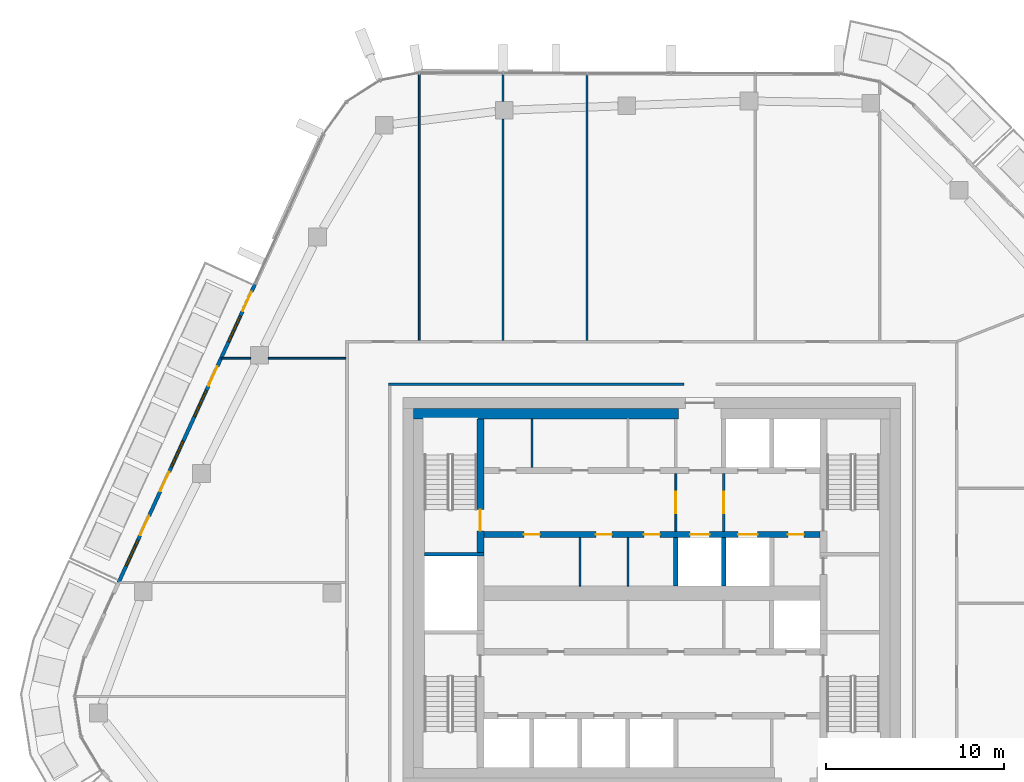
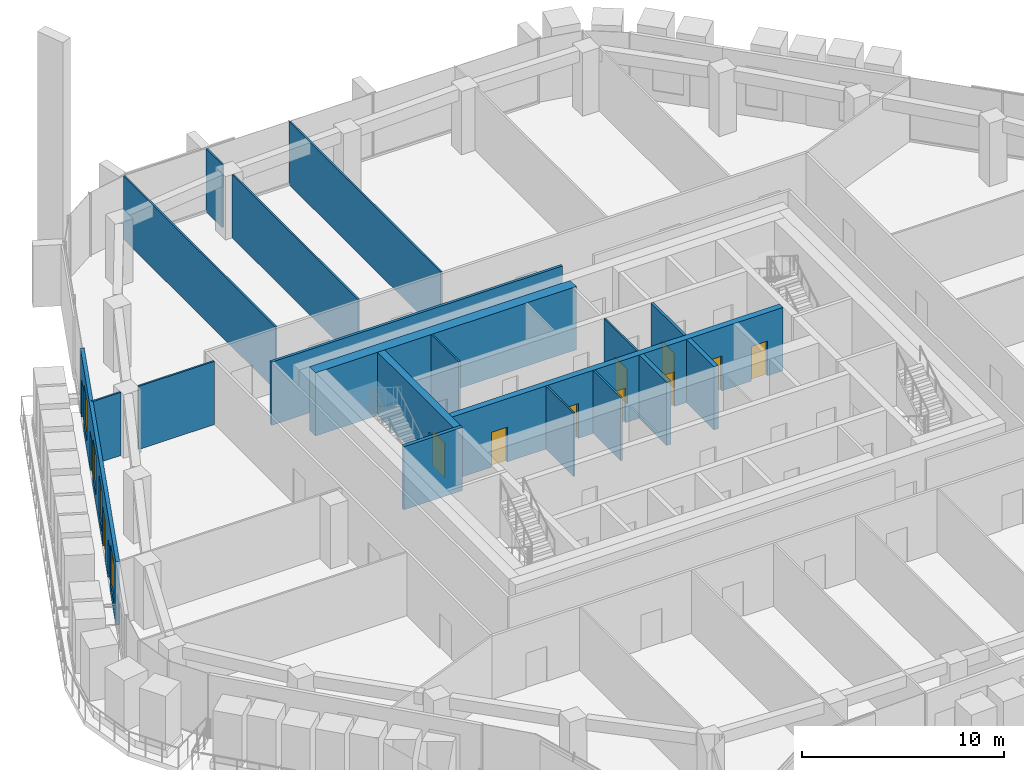
# One storey, part 15 of 24: 19 walls, 13 doors, 4 windows, 17 openings.
"""IFC4 building model written with IfcOpenShell, lengths in metres."""

from ifc_helpers import new_model, si_unit, direction, frame, frame_2d, origin, place, context, subcontext, project, spatial, rectangle, extrude, material, layer, layer_set, type_object, element, fill, save


model = new_model("IFC4")

# Units and contexts
model_context = context("Model", 3, precision=1e-05, world=origin(), true_north=direction((0.0, 1.0)))
body_context = subcontext(model_context, "Body", "Model", "MODEL_VIEW")
ifc_project = project(units=[si_unit("LENGTHUNIT", "METRE"), si_unit("AREAUNIT", "SQUARE_METRE"), si_unit("VOLUMEUNIT", "CUBIC_METRE"), si_unit("PLANEANGLEUNIT", "RADIAN"), si_unit("MASSUNIT", "GRAM", prefix="KILO")], contexts=[model_context])

# Site, building, storey
site_placement = place(None, origin())
site = spatial("IfcSite", under=ifc_project, at=site_placement, CompositionType="ELEMENT")
building_placement = place(site_placement, origin())
building = spatial("IfcBuilding", under=site, at=building_placement, Name="Dongbaek Canopy Tower", CompositionType="ELEMENT")
storey_placement = place(building_placement, frame((0.0, 0.0, 306.800048828125)))
storey = spatial("IfcBuildingStorey", under=building, at=storey_placement, Name="L65", CompositionType="ELEMENT", Elevation=306.800048828125)

# Wall, openings, doors
ifc_material_1 = material(Name="Concrete C60/75", Category="concrete")
ifc_layer_1 = layer(ifc_material_1, 0.35009765625)
ifc_layer_set_1 = layer_set([ifc_layer_1], Name="Core lobby wall 350 Concrete C60/75")
wall_type_1 = type_object("IfcWallType", Name="Core lobby wall 350 Concrete C60/75", PredefinedType="SHEAR", material=ifc_layer_set_1)
wall_1_placement = place(storey_placement, frame((9.449951171875, 3.300048828125, 0.0), z_axis=(0.0, 0.0, 1.0), x_axis=(-1.0, 0.0, 0.0)))
wall_1 = element("IfcWall", 1, at=wall_1_placement, inside=storey, type_object=wall_type_1, Name="Core wall", PredefinedType="SHEAR", context=body_context, shape_type="SweptSolid", body=[
    extrude(rectangle(XDim=18.89990234375, YDim=0.35009765625, at=frame_2d((9.449951171875, 0.0))), origin(), (0.0, 0.0, 1.0), 3.820068359375),
])
opening_1_placement = place(wall_1_placement, frame((6.199951171875, 0.0, 0.0)))
opening_1 = element("IfcOpeningElement", 2, at=opening_1_placement, cuts=wall_1, Name="Opening L65-D024", PredefinedType="OPENING", context=body_context, shape_type="SweptSolid", body=[
    extrude(rectangle(XDim=1.10009765625, YDim=2.10009765625, at=frame_2d((0.550048828125, 1.050048828125))), frame((0.0, 0.18505859375, 0.0), z_axis=(0.0, -1.0, 0.0), x_axis=(1.0, 0.0, 0.0)), (0.0, 0.0, 1.0), 0.3701171875),
])
opening_2_placement = place(wall_1_placement, frame((3.5, 0.0, 0.0)))
opening_2 = element("IfcOpeningElement", 3, at=opening_2_placement, cuts=wall_1, Name="Opening L65-D025", PredefinedType="OPENING", context=body_context, shape_type="SweptSolid", body=[
    extrude(rectangle(XDim=1.10009765625, YDim=2.10009765625, at=frame_2d((0.550048828125, 1.050048828125))), frame((0.0, 0.18505859375, 0.0), z_axis=(0.0, -1.0, 0.0), x_axis=(1.0, 0.0, 0.0)), (0.0, 0.0, 1.0), 0.3701171875),
])
opening_3_placement = place(wall_1_placement, frame((0.89990234375, 0.0, 0.0)))
opening_3 = element("IfcOpeningElement", 4, at=opening_3_placement, cuts=wall_1, Name="Opening L65-D026", PredefinedType="OPENING", context=body_context, shape_type="SweptSolid", body=[
    extrude(rectangle(XDim=0.89990234375, YDim=2.10009765625, at=frame_2d((0.449951171875, 1.050048828125))), frame((0.0, 0.18505859375, 0.0), z_axis=(0.0, -1.0, 0.0), x_axis=(1.0, 0.0, 0.0)), (0.0, 0.0, 1.0), 0.3701171875),
])
opening_4_placement = place(wall_1_placement, frame((15.75, 0.0, 0.0)))
opening_4 = element("IfcOpeningElement", 5, at=opening_4_placement, cuts=wall_1, Name="Opening L65-D037", PredefinedType="OPENING", context=body_context, shape_type="SweptSolid", body=[
    extrude(rectangle(XDim=0.89990234375, YDim=2.10009765625, at=frame_2d((0.449951171875, 1.050048828125))), frame((0.0, 0.18505859375, 0.0), z_axis=(0.0, -1.0, 0.0), x_axis=(1.0, 0.0, 0.0)), (0.0, 0.0, 1.0), 0.3701171875),
])
opening_5_placement = place(wall_1_placement, frame((11.699951171875, 0.0, 0.0)))
opening_5 = element("IfcOpeningElement", 6, at=opening_5_placement, cuts=wall_1, Name="Opening L65-D038", PredefinedType="OPENING", context=body_context, shape_type="SweptSolid", body=[
    extrude(rectangle(XDim=0.89990234375, YDim=2.10009765625, at=frame_2d((0.449951171875, 1.050048828125))), frame((0.0, 0.18505859375, 0.0), z_axis=(0.0, -1.0, 0.0), x_axis=(1.0, 0.0, 0.0)), (0.0, 0.0, 1.0), 0.3701171875),
])
opening_6_placement = place(wall_1_placement, frame((9.0, 0.0, 0.0)))
opening_6 = element("IfcOpeningElement", 7, at=opening_6_placement, cuts=wall_1, Name="Opening L65-D039", PredefinedType="OPENING", context=body_context, shape_type="SweptSolid", body=[
    extrude(rectangle(XDim=0.89990234375, YDim=2.10009765625, at=frame_2d((0.449951171875, 1.050048828125))), frame((0.0, 0.18505859375, 0.0), z_axis=(0.0, -1.0, 0.0), x_axis=(1.0, 0.0, 0.0)), (0.0, 0.0, 1.0), 0.3701171875),
])
ifc_material_2 = material(Name="Steel", Category="steel")
door_type_1 = type_object("IfcDoorType", Name="Core room door 900 x 2100", OperationType="SINGLE_SWING_LEFT", PredefinedType="DOOR", material=ifc_material_2)
door_1_placement = place(opening_3_placement, origin())
door_1 = element("IfcDoor", 8, at=door_1_placement, inside=storey, type_object=door_type_1, Name="Door L65-D026", OperationType="SINGLE_SWING_LEFT", OverallHeight=2.10009765625, OverallWidth=0.89990234375, PredefinedType="DOOR", context=body_context, shape_type="SweptSolid", body=[
    extrude(rectangle(XDim=0.89990234375, YDim=2.10009765625, at=frame_2d((0.449951171875, 1.050048828125))), frame((0.0, 0.02490234375, 0.0), z_axis=(0.0, -1.0, 0.0), x_axis=(1.0, 0.0, 0.0)), (0.0, 0.0, 1.0), 0.050048828125),
])
fill(opening_3, door_1)
door_2_placement = place(opening_4_placement, origin())
door_2 = element("IfcDoor", 9, at=door_2_placement, inside=storey, type_object=door_type_1, Name="Door L65-D037", OperationType="SINGLE_SWING_LEFT", OverallHeight=2.10009765625, OverallWidth=0.89990234375, PredefinedType="DOOR", context=body_context, shape_type="SweptSolid", body=[
    extrude(rectangle(XDim=0.89990234375, YDim=2.10009765625, at=frame_2d((0.449951171875, 1.050048828125))), frame((0.0, 0.02490234375, 0.0), z_axis=(0.0, -1.0, 0.0), x_axis=(1.0, 0.0, 0.0)), (0.0, 0.0, 1.0), 0.050048828125),
])
fill(opening_4, door_2)
door_3_placement = place(opening_5_placement, origin())
door_3 = element("IfcDoor", 10, at=door_3_placement, inside=storey, type_object=door_type_1, Name="Door L65-D038", OperationType="SINGLE_SWING_RIGHT", OverallHeight=2.10009765625, OverallWidth=0.89990234375, PredefinedType="DOOR", context=body_context, shape_type="SweptSolid", body=[
    extrude(rectangle(XDim=0.89990234375, YDim=2.10009765625, at=frame_2d((0.449951171875, 1.050048828125))), frame((0.0, 0.02490234375, 0.0), z_axis=(0.0, -1.0, 0.0), x_axis=(1.0, 0.0, 0.0)), (0.0, 0.0, 1.0), 0.050048828125),
])
fill(opening_5, door_3)
door_4_placement = place(opening_6_placement, origin())
door_4 = element("IfcDoor", 11, at=door_4_placement, inside=storey, type_object=door_type_1, Name="Door L65-D039", OperationType="SINGLE_SWING_LEFT", OverallHeight=2.10009765625, OverallWidth=0.89990234375, PredefinedType="DOOR", context=body_context, shape_type="SweptSolid", body=[
    extrude(rectangle(XDim=0.89990234375, YDim=2.10009765625, at=frame_2d((0.449951171875, 1.050048828125))), frame((0.0, 0.02490234375, 0.0), z_axis=(0.0, -1.0, 0.0), x_axis=(1.0, 0.0, 0.0)), (0.0, 0.0, 1.0), 0.050048828125),
])
fill(opening_6, door_4)
ifc_material_3 = material(Name="Stainless steel", Category="steel")
door_type_2 = type_object("IfcDoorType", Name="Lift landing door 1100 x 2100", OperationType="DOUBLE_DOOR_SLIDING", PredefinedType="DOOR", material=ifc_material_3)
door_5_placement = place(opening_1_placement, origin())
door_5 = element("IfcDoor", 12, at=door_5_placement, inside=storey, type_object=door_type_2, Name="Landing door SV1", OperationType="DOUBLE_DOOR_SLIDING", OverallHeight=2.10009765625, OverallWidth=1.10009765625, PredefinedType="DOOR", context=body_context, shape_type="SweptSolid", body=[
    extrude(rectangle(XDim=1.10009765625, YDim=2.10009765625, at=frame_2d((0.550048828125, 1.050048828125))), frame((0.0, 0.02490234375, 0.0), z_axis=(0.0, -1.0, 0.0), x_axis=(1.0, 0.0, 0.0)), (0.0, 0.0, 1.0), 0.050048828125),
])
fill(opening_1, door_5)
door_6_placement = place(opening_2_placement, origin())
door_6 = element("IfcDoor", 13, at=door_6_placement, inside=storey, type_object=door_type_2, Name="Landing door FF3", OperationType="DOUBLE_DOOR_SLIDING", OverallHeight=2.10009765625, OverallWidth=1.10009765625, PredefinedType="DOOR", context=body_context, shape_type="SweptSolid", body=[
    extrude(rectangle(XDim=1.10009765625, YDim=2.10009765625, at=frame_2d((0.550048828125, 1.050048828125))), frame((0.0, 0.02490234375, 0.0), z_axis=(0.0, -1.0, 0.0), x_axis=(1.0, 0.0, 0.0)), (0.0, 0.0, 1.0), 0.050048828125),
])
fill(opening_2, door_6)

# Walls
ifc_material_4 = material(Name="Concrete C60/75", Category="concrete")
ifc_layer_2 = layer(ifc_material_4, 0.60009765625)
ifc_layer_set_2 = layer_set([ifc_layer_2], Name="Core wall lining 600 Concrete C60/75")
wall_type_2 = type_object("IfcWallType", Name="Core wall lining 600 Concrete C60/75", PredefinedType="SHEAR", material=ifc_layer_set_2)
wall_2_placement = place(storey_placement, frame((-13.39990234375, 10.10009765625, 0.0), z_axis=(0.0, 0.0, 1.0), x_axis=(1.0, 0.0, 0.0)))
element("IfcWall", 14, at=wall_2_placement, inside=storey, type_object=wall_type_2, Name="Core wall lining", PredefinedType="SHEAR", context=body_context, shape_type="SweptSolid", body=[
    extrude(rectangle(XDim=14.89990234375, YDim=0.60009765625, at=frame_2d((7.449951171875, 0.0))), origin(), (0.0, 0.0, 1.0), 3.820068359375),
])
ifc_material_5 = material(Name="Gypsum board partition, steel stud, 2 x 15 mm fire board", Category="steel")
ifc_layer_3 = layer(ifc_material_5, 0.14990234375)
ifc_layer_set_3 = layer_set([ifc_layer_3], Name="Fire-rated partition 150 gypsum board")
wall_type_3 = type_object("IfcWallType", Name="Fire-rated partition 150 gypsum board", PredefinedType="PARTITIONING", material=ifc_layer_set_3)
wall_3_placement = place(storey_placement, frame((-14.824951171875, 11.75, 0.0), z_axis=(0.0, 0.0, 1.0), x_axis=(1.0, 0.0, 0.0)))
element("IfcWall", 15, at=wall_3_placement, inside=storey, type_object=wall_type_3, Name="Corridor partition", PredefinedType="PARTITIONING", context=body_context, shape_type="SweptSolid", body=[
    extrude(rectangle(XDim=16.625, YDim=0.14990234375, at=frame_2d((8.3125, 0.0))), origin(), (0.0, 0.0, 1.0), 3.820068359375),
])

# Wall, opening, door
wall_4_placement = place(storey_placement, frame((4.050048828125, 6.72509765625, 0.0), z_axis=(0.0, 0.0, 1.0), x_axis=(0.0, -1.0, 0.0)))
wall_4 = element("IfcWall", 16, at=wall_4_placement, inside=storey, type_object=wall_type_3, Name="Fire lobby partition", PredefinedType="PARTITIONING", context=body_context, shape_type="SweptSolid", body=[
    extrude(rectangle(XDim=3.25, YDim=0.14990234375, at=frame_2d((1.625, 0.0))), origin(), (0.0, 0.0, 1.0), 3.820068359375),
])
opening_7_placement = place(wall_4_placement, frame((1.02490234375, 0.0, 0.0)))
opening_7 = element("IfcOpeningElement", 17, at=opening_7_placement, cuts=wall_4, Name="Opening L65-D049", PredefinedType="OPENING", context=body_context, shape_type="SweptSolid", body=[
    extrude(rectangle(XDim=1.199951171875, YDim=2.10009765625, at=frame_2d((0.60009765625, 1.050048828125))), frame((0.0, 0.0849609375, 0.0), z_axis=(0.0, -1.0, 0.0), x_axis=(1.0, 0.0, 0.0)), (0.0, 0.0, 1.0), 0.169921875),
])
ifc_material_6 = material(Name="Steel", Category="steel")
door_type_3 = type_object("IfcDoorType", Name="Fire lobby door 1200 x 2100", OperationType="SINGLE_SWING_LEFT", PredefinedType="DOOR", material=ifc_material_6)
door_7_placement = place(opening_7_placement, origin())
door_7 = element("IfcDoor", 18, at=door_7_placement, inside=storey, type_object=door_type_3, Name="Door L65-D049", OperationType="SINGLE_SWING_RIGHT", OverallHeight=2.10009765625, OverallWidth=1.199951171875, PredefinedType="DOOR", context=body_context, shape_type="SweptSolid", body=[
    extrude(rectangle(XDim=1.199951171875, YDim=2.10009765625, at=frame_2d((0.60009765625, 1.050048828125))), frame((0.0, 0.02490234375, 0.0), z_axis=(0.0, -1.0, 0.0), x_axis=(1.0, 0.0, 0.0)), (0.0, 0.0, 1.0), 0.050048828125),
])
fill(opening_7, door_7)

# Walls
ifc_material_7 = material(Name="Concrete C40/50", Category="concrete")
ifc_layer_4 = layer(ifc_material_7, 0.25)
ifc_layer_set_4 = layer_set([ifc_layer_4], Name="Lift shaft wall 250 Concrete C40/50")
wall_type_4 = type_object("IfcWallType", Name="Lift shaft wall 250 Concrete C40/50", PredefinedType="SOLIDWALL", material=ifc_layer_set_4)
for number, where, z_axis, x_axis, name in (
    (19, (4.050048828125, 0.39990234375, 0.0), (0.0, 0.0, 1.0), (0.0, 1.0, 0.0), "Lift shaft wall"),
    (20, (1.35009765625, 0.39990234375, 0.0), (0.0, 0.0, 1.0), (0.0, 1.0, 0.0), "Lift shaft wall"),
):
    element("IfcWall", number, at=place(storey_placement, frame(where, z_axis=z_axis, x_axis=x_axis)), inside=storey, type_object=wall_type_4, Name=name, PredefinedType="SOLIDWALL", context=body_context, shape_type="SweptSolid", body=[
        extrude(rectangle(XDim=2.72509765625, YDim=0.25, at=frame_2d((1.362548828125, 0.0))), origin(), (0.0, 0.0, 1.0), 3.820068359375),
    ])
ifc_material_8 = material(Name="Gypsum board partition, steel stud, 2 x 12.5 mm board", Category="steel")
ifc_layer_5 = layer(ifc_material_8, 0.10009765625)
ifc_layer_set_5 = layer_set([ifc_layer_5], Name="Partition 100 gypsum board")
wall_type_5 = type_object("IfcWallType", Name="Partition 100 gypsum board", PredefinedType="PARTITIONING", material=ifc_layer_set_5)
wall_5_placement = place(storey_placement, frame((-24.2177734375, 13.2109375, 0.0), z_axis=(0.0, 0.0, 1.0), x_axis=(1.0, 0.0, 0.0)))
element("IfcWall", 21, at=wall_5_placement, inside=storey, type_object=wall_type_5, Name="Partition", PredefinedType="PARTITIONING", context=body_context, shape_type="SweptSolid", body=[
    extrude(rectangle(XDim=1.641845703125, YDim=0.10009765625, at=frame_2d((0.82080078125, 0.0))), origin(), (0.0, 0.0, 1.0), 3.820068359375),
])
wall_6_placement = place(storey_placement, frame((-21.575927734375, 13.2109375, 0.0), z_axis=(0.0, 0.0, 1.0), x_axis=(1.0, 0.0, 0.0)))
element("IfcWall", 22, at=wall_6_placement, inside=storey, type_object=wall_type_5, Name="Partition", PredefinedType="PARTITIONING", context=body_context, shape_type="SweptSolid", body=[
    extrude(rectangle(XDim=4.350830078125, YDim=0.10009765625, at=frame_2d((2.17529296875, 0.0))), origin(), (0.0, 0.0, 1.0), 3.820068359375),
])
wall_7_placement = place(storey_placement, frame((-3.64501953125, 14.22509765625, 0.0), z_axis=(0.0, 0.0, 1.0), x_axis=(0.0, 1.0, 0.0)))
element("IfcWall", 23, at=wall_7_placement, inside=storey, type_object=wall_type_5, Name="Partition", PredefinedType="PARTITIONING", context=body_context, shape_type="SweptSolid", body=[
    extrude(rectangle(XDim=15.00244140625, YDim=0.10009765625, at=frame_2d((7.501220703125, 0.0))), origin(), (0.0, 0.0, 1.0), 3.820068359375),
])
wall_8_placement = place(storey_placement, frame((-8.37109375, 14.22509765625, 0.0), z_axis=(0.0, 0.0, 1.0), x_axis=(0.0, 1.0, 0.0)))
element("IfcWall", 24, at=wall_8_placement, inside=storey, type_object=wall_type_5, Name="Partition", PredefinedType="PARTITIONING", context=body_context, shape_type="SweptSolid", body=[
    extrude(rectangle(XDim=12.43896484375, YDim=0.10009765625, at=frame_2d((6.219482421875, 0.0))), origin(), (0.0, 0.0, 1.0), 3.820068359375),
])
wall_9_placement = place(storey_placement, frame((-8.37109375, 27.6640625, 0.0), z_axis=(0.0, 0.0, 1.0), x_axis=(0.0, 1.0, 0.0)))
element("IfcWall", 25, at=wall_9_placement, inside=storey, type_object=wall_type_5, Name="Partition", PredefinedType="PARTITIONING", context=body_context, shape_type="SweptSolid", body=[
    extrude(rectangle(XDim=1.57373046875, YDim=0.10009765625, at=frame_2d((0.786865234375, 0.0))), origin(), (0.0, 0.0, 1.0), 3.820068359375),
])
wall_10_placement = place(storey_placement, frame((-13.0869140625, 14.22509765625, 0.0), z_axis=(0.0, 0.0, 1.0), x_axis=(0.0, 1.0, 0.0)))
element("IfcWall", 26, at=wall_10_placement, inside=storey, type_object=wall_type_5, Name="Partition", PredefinedType="PARTITIONING", context=body_context, shape_type="SweptSolid", body=[
    extrude(rectangle(XDim=15.022705078125, YDim=0.10009765625, at=frame_2d((7.51123046875, 0.0))), origin(), (0.0, 0.0, 1.0), 3.820068359375),
])

# Wall, opening, door
wall_11_placement = place(storey_placement, frame((1.35009765625, 6.72509765625, 0.0), z_axis=(0.0, 0.0, 1.0), x_axis=(0.0, -1.0, 0.0)))
wall_11 = element("IfcWall", 27, at=wall_11_placement, inside=storey, type_object=wall_type_5, Name="Core partition", PredefinedType="PARTITIONING", context=body_context, shape_type="SweptSolid", body=[
    extrude(rectangle(XDim=3.25, YDim=0.10009765625, at=frame_2d((1.625, 0.0))), origin(), (0.0, 0.0, 1.0), 3.820068359375),
])
opening_8_placement = place(wall_11_placement, frame((1.02490234375, 0.0, 0.0)))
opening_8 = element("IfcOpeningElement", 28, at=opening_8_placement, cuts=wall_11, Name="Opening L65-D048", PredefinedType="OPENING", context=body_context, shape_type="SweptSolid", body=[
    extrude(rectangle(XDim=1.199951171875, YDim=2.10009765625, at=frame_2d((0.60009765625, 1.050048828125))), frame((0.0, 0.06005859375, 0.0), z_axis=(0.0, -1.0, 0.0), x_axis=(1.0, 0.0, 0.0)), (0.0, 0.0, 1.0), 0.1201171875),
])
door_8_placement = place(opening_8_placement, origin())
door_8 = element("IfcDoor", 29, at=door_8_placement, inside=storey, type_object=door_type_3, Name="Door L65-D048", OperationType="SINGLE_SWING_LEFT", OverallHeight=2.10009765625, OverallWidth=1.199951171875, PredefinedType="DOOR", context=body_context, shape_type="SweptSolid", body=[
    extrude(rectangle(XDim=1.199951171875, YDim=2.10009765625, at=frame_2d((0.60009765625, 1.050048828125))), frame((0.0, 0.02490234375, 0.0), z_axis=(0.0, -1.0, 0.0), x_axis=(1.0, 0.0, 0.0)), (0.0, 0.0, 1.0), 0.050048828125),
])
fill(opening_8, door_8)

# Walls
for number, where, z_axis, x_axis, name in (
    (30, (-1.35009765625, 0.39990234375, 0.0), (0.0, 0.0, 1.0), (0.0, 1.0, 0.0), "Core partition"),
    (31, (-4.050048828125, 0.39990234375, 0.0), (0.0, 0.0, 1.0), (0.0, 1.0, 0.0), "Core partition"),
    (32, (-6.75, 7.074951171875, 0.0), (0.0, 0.0, 1.0), (0.0, 1.0, 0.0), "Core partition"),
):
    element("IfcWall", number, at=place(storey_placement, frame(where, z_axis=z_axis, x_axis=x_axis)), inside=storey, type_object=wall_type_5, Name=name, PredefinedType="PARTITIONING", context=body_context, shape_type="SweptSolid", body=[
        extrude(rectangle(XDim=2.72509765625, YDim=0.10009765625, at=frame_2d((1.362548828125, 0.0))), origin(), (0.0, 0.0, 1.0), 3.820068359375),
    ])
ifc_material_9 = material(Name="Concrete C60/75", Category="concrete")
ifc_layer_6 = layer(ifc_material_9, 0.199951171875)
ifc_layer_set_6 = layer_set([ifc_layer_6], Name="Riser wall 200 Concrete C60/75")
wall_type_6 = type_object("IfcWallType", Name="Riser wall 200 Concrete C60/75", PredefinedType="SHEAR", material=ifc_layer_set_6)
wall_12_placement = place(storey_placement, frame((-9.449951171875, 2.199951171875, 0.0), z_axis=(0.0, 0.0, 1.0), x_axis=(-1.0, 0.0, 0.0)))
element("IfcWall", 33, at=wall_12_placement, inside=storey, type_object=wall_type_6, Name="Riser wall", PredefinedType="SHEAR", context=body_context, shape_type="SweptSolid", body=[
    extrude(rectangle(XDim=3.35009765625, YDim=0.199951171875, at=frame_2d((1.675048828125, 0.0))), origin(), (0.0, 0.0, 1.0), 3.820068359375),
])

# Wall, opening, door
ifc_material_10 = material(Name="Concrete C60/75", Category="concrete")
ifc_layer_7 = layer(ifc_material_10, 0.39990234375)
ifc_layer_set_7 = layer_set([ifc_layer_7], Name="Stair wall 400 Concrete C60/75")
wall_type_7 = type_object("IfcWallType", Name="Stair wall 400 Concrete C60/75", PredefinedType="SHEAR", material=ifc_layer_set_7)
wall_13_placement = place(storey_placement, frame((-9.64990234375, 2.300048828125, 0.0), z_axis=(0.0, 0.0, 1.0), x_axis=(0.0, 1.0, 0.0)))
wall_13 = element("IfcWall", 34, at=wall_13_placement, inside=storey, type_object=wall_type_7, Name="Stair wall", PredefinedType="SHEAR", context=body_context, shape_type="SweptSolid", body=[
    extrude(rectangle(XDim=7.5, YDim=0.39990234375, at=frame_2d((3.75, 0.0))), origin(), (0.0, 0.0, 1.0), 3.820068359375),
])
opening_9_placement = place(wall_13_placement, frame((1.199951171875, 0.0, 0.0)))
opening_9 = element("IfcOpeningElement", 35, at=opening_9_placement, cuts=wall_13, Name="Opening L65-D045", PredefinedType="OPENING", context=body_context, shape_type="SweptSolid", body=[
    extrude(rectangle(XDim=1.199951171875, YDim=2.10009765625, at=frame_2d((0.60009765625, 1.050048828125))), frame((0.0, 0.2099609375, 0.0), z_axis=(0.0, -1.0, 0.0), x_axis=(1.0, 0.0, 0.0)), (0.0, 0.0, 1.0), 0.419921875),
])
ifc_material_11 = material(Name="Steel", Category="steel")
door_type_4 = type_object("IfcDoorType", Name="Stair door 1200 x 2100", OperationType="SINGLE_SWING_LEFT", PredefinedType="DOOR", material=ifc_material_11)
door_9_placement = place(opening_9_placement, origin())
door_9 = element("IfcDoor", 36, at=door_9_placement, inside=storey, type_object=door_type_4, Name="Stair C door", OperationType="SINGLE_SWING_RIGHT", OverallHeight=2.10009765625, OverallWidth=1.199951171875, PredefinedType="DOOR", context=body_context, shape_type="SweptSolid", body=[
    extrude(rectangle(XDim=1.199951171875, YDim=2.10009765625, at=frame_2d((0.60009765625, 1.050048828125))), frame((0.0, 0.02490234375, 0.0), z_axis=(0.0, -1.0, 0.0), x_axis=(1.0, 0.0, 0.0)), (0.0, 0.0, 1.0), 0.050048828125),
])
fill(opening_9, door_9)

# Wall, openings, doors, windows
ifc_material_12 = material(Name="Aluminium window wall", Category="aluminium")
ifc_layer_8 = layer(ifc_material_12, 0.199951171875)
ifc_layer_set_8 = layer_set([ifc_layer_8], Name="Window wall 200")
wall_type_8 = type_object("IfcWallType", Name="Window wall 200", PredefinedType="SOLIDWALL", material=ifc_layer_set_8)
wall_14_placement = place(storey_placement, frame((-22.318359375, 17.4140625, 0.0), z_axis=(0.0, 0.0, 1.0), x_axis=(-0.415710447513, -0.909497016943, 0.0)))
wall_14 = element("IfcWall", 37, at=wall_14_placement, inside=storey, type_object=wall_type_8, Name="Window wall L65 2", PredefinedType="SOLIDWALL", context=body_context, shape_type="SweptSolid", body=[
    extrude(rectangle(XDim=18.486572265625, YDim=0.199951171875, at=frame_2d((9.2431640625, 0.0))), origin(), (0.0, 0.0, 1.0), 3.820068359375),
])
opening_10_placement = place(wall_14_placement, frame((2.0, 0.0, 0.60009765625)))
opening_10 = element("IfcOpeningElement", 38, at=opening_10_placement, cuts=wall_14, Name="Opening W1", PredefinedType="OPENING", context=body_context, shape_type="SweptSolid", body=[
    extrude(rectangle(XDim=1.60009765625, YDim=2.39990234375, at=frame_2d((0.800048828125, 1.199951171875))), frame((0.0, 0.10986328125, 0.0), z_axis=(0.0, -1.0, 0.0), x_axis=(1.0, 0.0, 0.0)), (0.0, 0.0, 1.0), 0.219970703125),
])
opening_11_placement = place(wall_14_placement, frame((0.5, 0.0, 0.0)))
opening_11 = element("IfcOpeningElement", 39, at=opening_11_placement, cuts=wall_14, Name="Opening L65-B04", PredefinedType="OPENING", context=body_context, shape_type="SweptSolid", body=[
    extrude(rectangle(XDim=1.199951171875, YDim=2.39990234375, at=frame_2d((0.60009765625, 1.199951171875))), frame((0.0, 0.10986328125, 0.0), z_axis=(0.0, -1.0, 0.0), x_axis=(1.0, 0.0, 0.0)), (0.0, 0.0, 1.0), 0.219970703125),
])
opening_12_placement = place(wall_14_placement, frame((6.62158203125, 0.0, 0.60009765625)))
opening_12 = element("IfcOpeningElement", 40, at=opening_12_placement, cuts=wall_14, Name="Opening W1", PredefinedType="OPENING", context=body_context, shape_type="SweptSolid", body=[
    extrude(rectangle(XDim=1.60009765625, YDim=2.39990234375, at=frame_2d((0.800048828125, 1.199951171875))), frame((0.0, 0.10986328125, 0.0), z_axis=(0.0, -1.0, 0.0), x_axis=(1.0, 0.0, 0.0)), (0.0, 0.0, 1.0), 0.219970703125),
])
opening_13_placement = place(wall_14_placement, frame((5.12158203125, 0.0, 0.0)))
opening_13 = element("IfcOpeningElement", 41, at=opening_13_placement, cuts=wall_14, Name="Opening L65-B05", PredefinedType="OPENING", context=body_context, shape_type="SweptSolid", body=[
    extrude(rectangle(XDim=1.199951171875, YDim=2.39990234375, at=frame_2d((0.60009765625, 1.199951171875))), frame((0.0, 0.10986328125, 0.0), z_axis=(0.0, -1.0, 0.0), x_axis=(1.0, 0.0, 0.0)), (0.0, 0.0, 1.0), 0.219970703125),
])
opening_14_placement = place(wall_14_placement, frame((9.7431640625, 0.0, 0.60009765625)))
opening_14 = element("IfcOpeningElement", 42, at=opening_14_placement, cuts=wall_14, Name="Opening W1", PredefinedType="OPENING", context=body_context, shape_type="SweptSolid", body=[
    extrude(rectangle(XDim=1.60009765625, YDim=2.39990234375, at=frame_2d((0.800048828125, 1.199951171875))), frame((0.0, 0.10986328125, 0.0), z_axis=(0.0, -1.0, 0.0), x_axis=(1.0, 0.0, 0.0)), (0.0, 0.0, 1.0), 0.219970703125),
])
opening_15_placement = place(wall_14_placement, frame((11.643310546875, 0.0, 0.0)))
opening_15 = element("IfcOpeningElement", 43, at=opening_15_placement, cuts=wall_14, Name="Opening L65-B06", PredefinedType="OPENING", context=body_context, shape_type="SweptSolid", body=[
    extrude(rectangle(XDim=1.199951171875, YDim=2.39990234375, at=frame_2d((0.60009765625, 1.199951171875))), frame((0.0, 0.10986328125, 0.0), z_axis=(0.0, -1.0, 0.0), x_axis=(1.0, 0.0, 0.0)), (0.0, 0.0, 1.0), 0.219970703125),
])
opening_16_placement = place(wall_14_placement, frame((15.864990234375, 0.0, 0.60009765625)))
opening_16 = element("IfcOpeningElement", 44, at=opening_16_placement, cuts=wall_14, Name="Opening W1", PredefinedType="OPENING", context=body_context, shape_type="SweptSolid", body=[
    extrude(rectangle(XDim=1.60009765625, YDim=2.39990234375, at=frame_2d((0.800048828125, 1.199951171875))), frame((0.0, 0.10986328125, 0.0), z_axis=(0.0, -1.0, 0.0), x_axis=(1.0, 0.0, 0.0)), (0.0, 0.0, 1.0), 0.219970703125),
])
opening_17_placement = place(wall_14_placement, frame((14.364990234375, 0.0, 0.0)))
opening_17 = element("IfcOpeningElement", 45, at=opening_17_placement, cuts=wall_14, Name="Opening L65-B07", PredefinedType="OPENING", context=body_context, shape_type="SweptSolid", body=[
    extrude(rectangle(XDim=1.199951171875, YDim=2.39990234375, at=frame_2d((0.60009765625, 1.199951171875))), frame((0.0, 0.10986328125, 0.0), z_axis=(0.0, -1.0, 0.0), x_axis=(1.0, 0.0, 0.0)), (0.0, 0.0, 1.0), 0.219970703125),
])
ifc_material_13 = material(Name="Clear glazing in aluminium frame", Category="aluminium")
door_type_5 = type_object("IfcDoorType", Name="Balcony door BD1 1200 x 2400", OperationType="SLIDING_TO_LEFT", PredefinedType="DOOR", material=ifc_material_13)
door_10_placement = place(opening_11_placement, origin())
door_10 = element("IfcDoor", 46, at=door_10_placement, inside=storey, type_object=door_type_5, Name="Balcony door L65-B04", OperationType="SLIDING_TO_LEFT", OverallHeight=2.39990234375, OverallWidth=1.199951171875, PredefinedType="DOOR", context=body_context, shape_type="SweptSolid", body=[
    extrude(rectangle(XDim=1.199951171875, YDim=2.39990234375, at=frame_2d((0.60009765625, 1.199951171875))), frame((0.0, 0.02490234375, 0.0), z_axis=(0.0, -1.0, 0.0), x_axis=(1.0, 0.0, 0.0)), (0.0, 0.0, 1.0), 0.050048828125),
])
fill(opening_11, door_10)
door_11_placement = place(opening_13_placement, origin())
door_11 = element("IfcDoor", 47, at=door_11_placement, inside=storey, type_object=door_type_5, Name="Balcony door L65-B05", OperationType="SLIDING_TO_LEFT", OverallHeight=2.39990234375, OverallWidth=1.199951171875, PredefinedType="DOOR", context=body_context, shape_type="SweptSolid", body=[
    extrude(rectangle(XDim=1.199951171875, YDim=2.39990234375, at=frame_2d((0.60009765625, 1.199951171875))), frame((0.0, 0.02490234375, 0.0), z_axis=(0.0, -1.0, 0.0), x_axis=(1.0, 0.0, 0.0)), (0.0, 0.0, 1.0), 0.050048828125),
])
fill(opening_13, door_11)
door_12_placement = place(opening_15_placement, origin())
door_12 = element("IfcDoor", 48, at=door_12_placement, inside=storey, type_object=door_type_5, Name="Balcony door L65-B06", OperationType="SLIDING_TO_LEFT", OverallHeight=2.39990234375, OverallWidth=1.199951171875, PredefinedType="DOOR", context=body_context, shape_type="SweptSolid", body=[
    extrude(rectangle(XDim=1.199951171875, YDim=2.39990234375, at=frame_2d((0.60009765625, 1.199951171875))), frame((0.0, 0.02490234375, 0.0), z_axis=(0.0, -1.0, 0.0), x_axis=(1.0, 0.0, 0.0)), (0.0, 0.0, 1.0), 0.050048828125),
])
fill(opening_15, door_12)
door_13_placement = place(opening_17_placement, origin())
door_13 = element("IfcDoor", 49, at=door_13_placement, inside=storey, type_object=door_type_5, Name="Balcony door L65-B07", OperationType="SLIDING_TO_LEFT", OverallHeight=2.39990234375, OverallWidth=1.199951171875, PredefinedType="DOOR", context=body_context, shape_type="SweptSolid", body=[
    extrude(rectangle(XDim=1.199951171875, YDim=2.39990234375, at=frame_2d((0.60009765625, 1.199951171875))), frame((0.0, 0.02490234375, 0.0), z_axis=(0.0, -1.0, 0.0), x_axis=(1.0, 0.0, 0.0)), (0.0, 0.0, 1.0), 0.050048828125),
])
fill(opening_17, door_13)
ifc_material_14 = material(Name="Clear glazing in aluminium frame", Category="aluminium")
window_type = type_object("IfcWindowType", Name="Window W1 1600 x 2400", PartitioningType="SINGLE_PANEL", PredefinedType="WINDOW", material=ifc_material_14)
window_1_placement = place(opening_10_placement, origin())
window_1 = element("IfcWindow", 50, at=window_1_placement, inside=storey, type_object=window_type, Name="Window L65 2.1", OverallHeight=2.39990234375, OverallWidth=1.60009765625, PartitioningType="SINGLE_PANEL", PredefinedType="WINDOW", context=body_context, shape_type="SweptSolid", body=[
    extrude(rectangle(XDim=1.60009765625, YDim=2.39990234375, at=frame_2d((0.800048828125, 1.199951171875))), frame((0.0, 0.030029296875, 0.0), z_axis=(0.0, -1.0, 0.0), x_axis=(1.0, 0.0, 0.0)), (0.0, 0.0, 1.0), 0.06005859375),
])
fill(opening_10, window_1)
window_2_placement = place(opening_12_placement, origin())
window_2 = element("IfcWindow", 51, at=window_2_placement, inside=storey, type_object=window_type, Name="Window L65 2.2", OverallHeight=2.39990234375, OverallWidth=1.60009765625, PartitioningType="SINGLE_PANEL", PredefinedType="WINDOW", context=body_context, shape_type="SweptSolid", body=[
    extrude(rectangle(XDim=1.60009765625, YDim=2.39990234375, at=frame_2d((0.800048828125, 1.199951171875))), frame((0.0, 0.030029296875, 0.0), z_axis=(0.0, -1.0, 0.0), x_axis=(1.0, 0.0, 0.0)), (0.0, 0.0, 1.0), 0.06005859375),
])
fill(opening_12, window_2)
window_3_placement = place(opening_14_placement, origin())
window_3 = element("IfcWindow", 52, at=window_3_placement, inside=storey, type_object=window_type, Name="Window L65 2.3", OverallHeight=2.39990234375, OverallWidth=1.60009765625, PartitioningType="SINGLE_PANEL", PredefinedType="WINDOW", context=body_context, shape_type="SweptSolid", body=[
    extrude(rectangle(XDim=1.60009765625, YDim=2.39990234375, at=frame_2d((0.800048828125, 1.199951171875))), frame((0.0, 0.030029296875, 0.0), z_axis=(0.0, -1.0, 0.0), x_axis=(1.0, 0.0, 0.0)), (0.0, 0.0, 1.0), 0.06005859375),
])
fill(opening_14, window_3)
window_4_placement = place(opening_16_placement, origin())
window_4 = element("IfcWindow", 53, at=window_4_placement, inside=storey, type_object=window_type, Name="Window L65 2.4", OverallHeight=2.39990234375, OverallWidth=1.60009765625, PartitioningType="SINGLE_PANEL", PredefinedType="WINDOW", context=body_context, shape_type="SweptSolid", body=[
    extrude(rectangle(XDim=1.60009765625, YDim=2.39990234375, at=frame_2d((0.800048828125, 1.199951171875))), frame((0.0, 0.030029296875, 0.0), z_axis=(0.0, -1.0, 0.0), x_axis=(1.0, 0.0, 0.0)), (0.0, 0.0, 1.0), 0.06005859375),
])
fill(opening_16, window_4)

save(model, "model.ifc")
